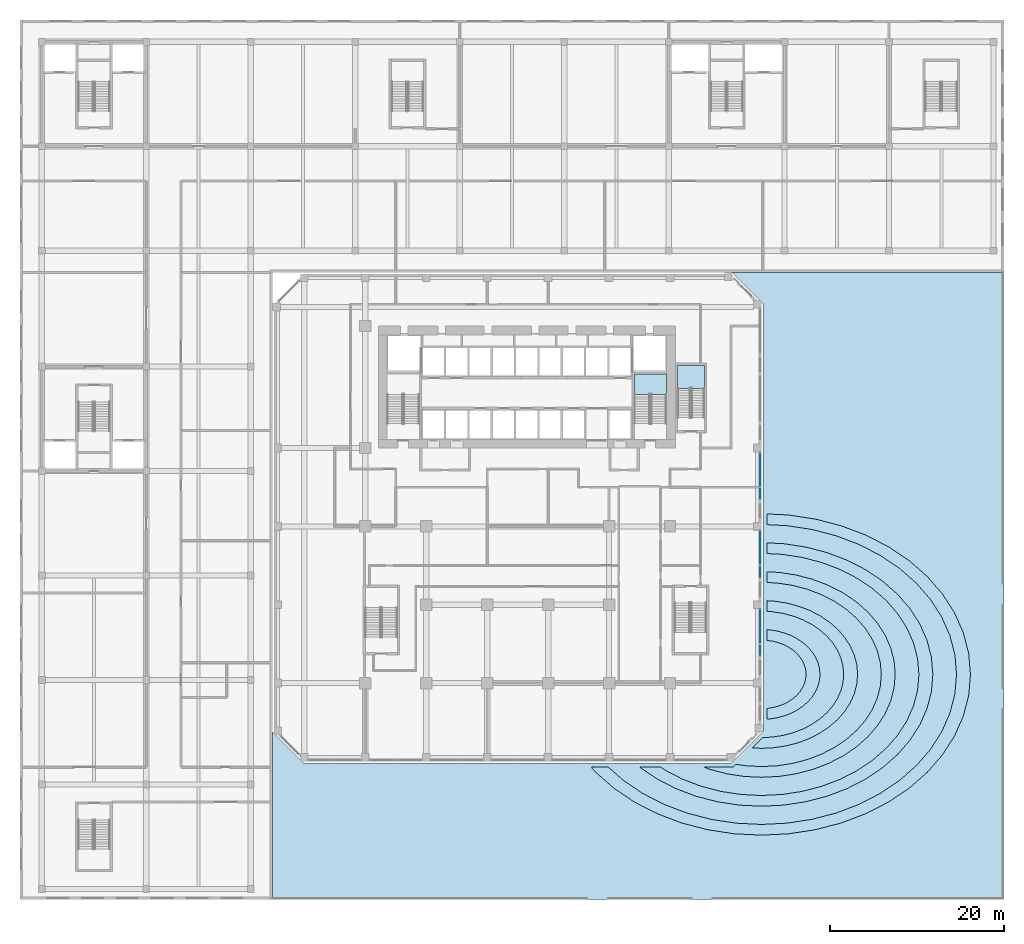
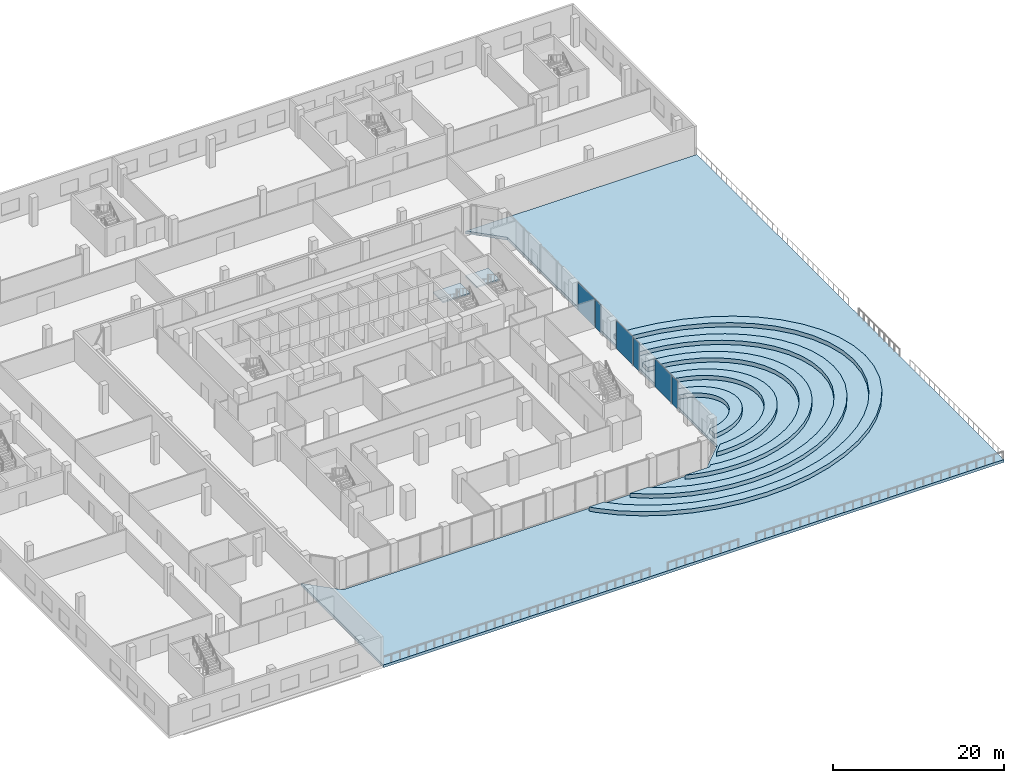
# One storey, part 14 of 38: 8 slabs, 6 plates, 8 elements without a shape of their own.
"""IFC4 building model written with IfcOpenShell, lengths in metres."""

from ifc_helpers import new_model, si_unit, direction, frame, origin, origin_2d, place, context, subcontext, project, spatial, polyline, rectangle, outline, extrude, source, transform, mapped, material, layer, layer_set, type_object, element, aggregate, save


model = new_model("IFC4")

# Units and contexts
model_context = context("Model", 3, precision=1e-05, world=origin(), true_north=direction((0.0, 1.0)))
body_context = subcontext(model_context, "Body", "Model", "MODEL_VIEW")
ifc_project = project(units=[si_unit("LENGTHUNIT", "METRE"), si_unit("AREAUNIT", "SQUARE_METRE"), si_unit("VOLUMEUNIT", "CUBIC_METRE"), si_unit("PLANEANGLEUNIT", "RADIAN"), si_unit("MASSUNIT", "GRAM", prefix="KILO")], contexts=[model_context])

# Site, building, storey
site_placement = place(None, origin())
site = spatial("IfcSite", under=ifc_project, at=site_placement, CompositionType="ELEMENT")
building_placement = place(site_placement, origin())
building = spatial("IfcBuilding", under=site, at=building_placement, Name="Kilnfold Tower and Market Hall", CompositionType="ELEMENT")
storey_placement = place(building_placement, frame((0.0, 0.0, 9.0)))
storey = spatial("IfcBuildingStorey", under=building, at=storey_placement, Name="L01", CompositionType="ELEMENT", Elevation=9.0)

# Slabs
ifc_material_1 = material(Name="Concrete C40/50", Category="concrete")
ifc_layer_1 = layer(ifc_material_1, 0.39990234375)
ifc_layer_set_1 = layer_set([ifc_layer_1], Name="Concrete C40/50")
slab_type_1 = type_object("IfcSlabType", Name="DECK SLAB 400", PredefinedType="FLOOR", material=ifc_layer_set_1)
shared_shape_1 = source(origin(), body_context, "Body", "SweptSolid", [
    extrude(outline(polyline([(-28.14990234375, -43.85009765625), (55.85009765625, -43.85009765625), (55.85009765625, 28.14990234375), (24.56201171875, 28.14990234375), (28.14990234375, 24.56201171875), (28.14990234375, -24.56201171875), (24.56201171875, -28.14990234375), (-24.56201171875, -28.14990234375), (-28.14990234375, -24.56201171875), (-28.14990234375, -43.85009765625)])), origin(), (0.0, 0.0, 1.0), 0.39990234375),
])
slab_1_placement = place(storey_placement, frame((0.0, 0.0, -0.39990234375)))
element("IfcSlab", 1, at=slab_1_placement, inside=storey, type_object=slab_type_1, Name="Garden deck slab", PredefinedType="FLOOR", context=body_context, shape_type="MappedRepresentation", body=[
    mapped(shared_shape_1, transform((0.0, 0.0, 0.0))),
])
ifc_material_2 = material(Name="Concrete C30/37", Category="concrete")
ifc_layer_2 = layer(ifc_material_2, 0.60009765625)
ifc_layer_set_2 = layer_set([ifc_layer_2], Name="Concrete C30/37")
slab_type_2 = type_object("IfcSlabType", Name="DECK PLANTER BED 600", PredefinedType="USERDEFINED", material=ifc_layer_set_2)
shared_shape_2 = source(origin(), body_context, "Body", "SweptSolid", [
    extrude(outline(polyline([(28.0, -36.46142578125), (31.132568359375, -36.3037109375), (34.211669921875, -35.83251953125), (37.184326171875, -35.05615234375), (40.0, -33.988037109375), (42.6103515625, -32.646484375), (44.970703125, -31.05419921875), (47.04052734375, -29.238525390625), (48.78466796875, -27.230712890625), (50.173095703125, -25.06494140625), (51.18212890625, -22.7783203125), (51.794677734375, -20.40966796875), (52.0, -18.0), (51.794677734375, -15.59033203125), (51.18212890625, -13.2216796875), (50.173095703125, -10.93505859375), (48.78466796875, -8.769287109375), (47.04052734375, -6.761474609375), (44.970703125, -4.94580078125), (42.6103515625, -3.353515625), (40.0, -2.011962890625), (37.184326171875, -0.94384765625), (34.211669921875, -0.16748046875), (31.132568359375, 0.3037109375), (28.64990234375, 0.4287109375), (28.64990234375, -0.802001953125), (30.923828125, -0.916748046875), (33.797607421875, -1.3564453125), (36.572021484375, -2.080810546875), (39.199951171875, -3.07763671875), (41.63623046875, -4.329833984375), (43.839111328125, -5.81591796875), (45.77099609375, -7.510498046875), (47.39892578125, -9.384521484375), (48.69482421875, -11.406005859375), (49.63671875, -13.540283203125), (50.20849609375, -15.7509765625), (50.39990234375, -18.0), (50.20849609375, -20.2490234375), (49.63671875, -22.459716796875), (48.69482421875, -24.593994140625), (47.39892578125, -26.615478515625), (45.77099609375, -28.489501953125), (43.839111328125, -30.18408203125), (41.63623046875, -31.670166015625), (39.199951171875, -32.92236328125), (36.572021484375, -33.919189453125), (33.797607421875, -34.6435546875), (30.923828125, -35.083251953125), (28.0, -35.230712890625), (25.076171875, -35.083251953125), (22.202392578125, -34.6435546875), (19.427978515625, -33.919189453125), (16.800048828125, -32.92236328125), (14.36376953125, -31.670166015625), (12.160888671875, -30.18408203125), (10.412109375, -28.64990234375), (8.4482421875, -28.64990234375), (8.95947265625, -29.238525390625), (11.029296875, -31.05419921875), (13.3896484375, -32.646484375), (16.0, -33.988037109375), (18.815673828125, -35.05615234375), (21.788330078125, -35.83251953125), (24.867431640625, -36.3037109375), (28.0, -36.46142578125)])), origin(), (0.0, 0.0, 1.0), 0.60009765625),
])
slab_2_placement = place(storey_placement, origin())
element("IfcSlab", 2, at=slab_2_placement, inside=storey, type_object=slab_type_2, Name="Planter ring R1-1", ObjectType="PLANTER", PredefinedType="USERDEFINED", context=body_context, shape_type="MappedRepresentation", body=[
    mapped(shared_shape_2, transform((0.0, 0.0, 0.0))),
])
shared_shape_3 = source(origin(), body_context, "Body", "SweptSolid", [
    extrude(outline(polyline([(28.0, -33.138427734375), (30.56884765625, -33.0087890625), (33.093505859375, -32.62255859375), (35.53125, -31.986083984375), (37.840087890625, -31.1103515625), (39.98046875, -30.010009765625), (41.916015625, -28.70458984375), (43.61328125, -27.2158203125), (45.04345703125, -25.569091796875), (46.181884765625, -23.793212890625), (47.009521484375, -21.918212890625), (47.51171875, -19.97607421875), (47.679931640625, -18.0), (47.51171875, -16.02392578125), (47.009521484375, -14.081787109375), (46.181884765625, -12.206787109375), (45.04345703125, -10.430908203125), (43.61328125, -8.7841796875), (41.916015625, -7.29541015625), (39.98046875, -5.989990234375), (37.840087890625, -4.8896484375), (35.53125, -4.013916015625), (33.093505859375, -3.37744140625), (30.56884765625, -2.9912109375), (28.64990234375, -2.894287109375), (28.64990234375, -4.125), (30.35986328125, -4.211181640625), (32.679443359375, -4.566162109375), (34.9189453125, -5.15087890625), (37.0400390625, -5.95556640625), (39.00634765625, -6.96630859375), (40.784423828125, -8.165771484375), (42.34375, -9.53369140625), (43.65771484375, -11.046142578125), (44.70361328125, -12.677734375), (45.4638671875, -14.400390625), (45.92529296875, -16.184814453125), (46.080078125, -18.0), (45.92529296875, -19.815185546875), (45.4638671875, -21.599609375), (44.70361328125, -23.322265625), (43.65771484375, -24.953857421875), (42.34375, -26.46630859375), (40.784423828125, -27.834228515625), (39.00634765625, -29.03369140625), (37.0400390625, -30.04443359375), (34.9189453125, -30.84912109375), (32.679443359375, -31.433837890625), (30.35986328125, -31.788818359375), (28.0, -31.90771484375), (25.64013671875, -31.788818359375), (23.320556640625, -31.433837890625), (21.0810546875, -30.84912109375), (18.9599609375, -30.04443359375), (16.99365234375, -29.03369140625), (16.4248046875, -28.64990234375), (14.02197265625, -28.64990234375), (14.083984375, -28.70458984375), (16.01953125, -30.010009765625), (18.159912109375, -31.1103515625), (20.46875, -31.986083984375), (22.906494140625, -32.62255859375), (25.43115234375, -33.0087890625), (28.0, -33.138427734375)])), origin(), (0.0, 0.0, 1.0), 0.60009765625),
])
slab_3_placement = place(storey_placement, origin())
element("IfcSlab", 3, at=slab_3_placement, inside=storey, type_object=slab_type_2, Name="Planter ring R2-1", ObjectType="PLANTER", PredefinedType="USERDEFINED", context=body_context, shape_type="MappedRepresentation", body=[
    mapped(shared_shape_3, transform((0.0, 0.0, 0.0))),
])
shared_shape_4 = source(origin(), body_context, "Body", "SweptSolid", [
    extrude(outline(polyline([(28.0, -29.8154296875), (30.0048828125, -29.71435546875), (31.9755859375, -29.412841796875), (33.8779296875, -28.916015625), (35.679931640625, -28.232421875), (37.3505859375, -27.373779296875), (38.861083984375, -26.354736328125), (40.185791015625, -25.192626953125), (41.30224609375, -23.90771484375), (42.19091796875, -22.521484375), (42.836669921875, -21.05810546875), (43.228515625, -19.542236328125), (43.360107421875, -18.0), (43.228515625, -16.457763671875), (42.836669921875, -14.94189453125), (42.19091796875, -13.478515625), (41.30224609375, -12.09228515625), (40.185791015625, -10.807373046875), (38.861083984375, -9.645263671875), (37.3505859375, -8.626220703125), (35.679931640625, -7.767578125), (33.8779296875, -7.083984375), (31.9755859375, -6.587158203125), (30.0048828125, -6.28564453125), (28.64990234375, -6.21728515625), (28.64990234375, -7.4482421875), (29.7958984375, -7.506103515625), (31.561279296875, -7.776123046875), (33.265625, -8.22119140625), (34.8798828125, -8.83349609375), (36.376708984375, -9.602783203125), (37.729736328125, -10.515625), (38.91650390625, -11.556396484375), (39.91650390625, -12.707763671875), (40.712646484375, -13.949462890625), (41.291015625, -15.260498046875), (41.642333984375, -16.618408203125), (41.760009765625, -18.0), (41.642333984375, -19.381591796875), (41.291015625, -20.739501953125), (40.712646484375, -22.050537109375), (39.91650390625, -23.292236328125), (38.91650390625, -24.443603515625), (37.729736328125, -25.484375), (36.376708984375, -26.397216796875), (34.8798828125, -27.16650390625), (33.265625, -27.77880859375), (31.561279296875, -28.223876953125), (29.7958984375, -28.493896484375), (28.0, -28.584716796875), (26.2041015625, -28.493896484375), (25.094970703125, -28.32421875), (24.915771484375, -28.503662109375), (24.87939453125, -28.53662109375), (24.83984375, -28.565673828125), (24.7978515625, -28.591064453125), (24.75341796875, -28.61181640625), (24.707275390625, -28.62841796875), (24.65966796875, -28.640380859375), (24.611083984375, -28.647705078125), (24.56201171875, -28.64990234375), (21.4208984375, -28.64990234375), (22.1220703125, -28.916015625), (24.0244140625, -29.412841796875), (25.9951171875, -29.71435546875), (28.0, -29.8154296875)])), origin(), (0.0, 0.0, 1.0), 0.60009765625),
])
slab_4_placement = place(storey_placement, origin())
element("IfcSlab", 4, at=slab_4_placement, inside=storey, type_object=slab_type_2, Name="Planter ring R3-1", ObjectType="PLANTER", PredefinedType="USERDEFINED", context=body_context, shape_type="MappedRepresentation", body=[
    mapped(shared_shape_4, transform((0.0, 0.0, 0.0))),
])
shared_shape_5 = source(origin(), body_context, "Body", "SweptSolid", [
    extrude(outline(polyline([(28.0, -26.4921875), (29.44091796875, -26.419677734375), (30.857421875, -26.202880859375), (32.224853515625, -25.845947265625), (33.52001953125, -25.3544921875), (34.720703125, -24.7373046875), (35.806396484375, -24.0048828125), (36.758544921875, -23.169921875), (37.560791015625, -22.24609375), (38.19970703125, -21.25), (38.663818359375, -20.197998046875), (38.945556640625, -19.1083984375), (39.0400390625, -18.0), (38.945556640625, -16.8916015625), (38.663818359375, -15.802001953125), (38.19970703125, -14.75), (37.560791015625, -13.75390625), (36.758544921875, -12.830078125), (35.806396484375, -11.9951171875), (34.720703125, -11.2626953125), (33.52001953125, -10.6455078125), (32.224853515625, -10.154052734375), (30.857421875, -9.797119140625), (29.44091796875, -9.580322265625), (28.64990234375, -9.54052734375), (28.64990234375, -10.771240234375), (29.232177734375, -10.800537109375), (30.443359375, -10.98583984375), (31.612548828125, -11.291259765625), (32.719970703125, -11.711181640625), (33.74658203125, -12.239013671875), (34.675048828125, -12.865234375), (35.4892578125, -13.57958984375), (36.17529296875, -14.369140625), (36.721435546875, -15.22119140625), (37.118408203125, -16.12060546875), (37.359130859375, -17.05224609375), (37.43994140625, -18.0), (37.359130859375, -18.94775390625), (37.118408203125, -19.87939453125), (36.721435546875, -20.77880859375), (36.17529296875, -21.630859375), (35.4892578125, -22.42041015625), (34.675048828125, -23.134765625), (33.74658203125, -23.760986328125), (32.719970703125, -24.288818359375), (31.612548828125, -24.708740234375), (30.443359375, -25.01416015625), (29.232177734375, -25.199462890625), (28.166015625, -25.253173828125), (26.978515625, -26.44091796875), (28.0, -26.4921875)])), origin(), (0.0, 0.0, 1.0), 0.60009765625),
])
slab_5_placement = place(storey_placement, origin())
element("IfcSlab", 5, at=slab_5_placement, inside=storey, type_object=slab_type_2, Name="Planter ring R4-1", ObjectType="PLANTER", PredefinedType="USERDEFINED", context=body_context, shape_type="MappedRepresentation", body=[
    mapped(shared_shape_5, transform((0.0, 0.0, 0.0))),
])
shared_shape_6 = source(origin(), body_context, "Body", "SweptSolid", [
    extrude(outline(polyline([(28.64990234375, -23.136474609375), (28.877197265625, -23.125), (29.7392578125, -22.9931640625), (30.571533203125, -22.775634765625), (31.360107421875, -22.476806640625), (32.0908203125, -22.10107421875), (32.751708984375, -21.6552734375), (33.331298828125, -21.146728515625), (33.819580078125, -20.584716796875), (34.20849609375, -19.978271484375), (34.490966796875, -19.337890625), (34.66259765625, -18.6748046875), (34.719970703125, -18.0), (34.66259765625, -17.3251953125), (34.490966796875, -16.662109375), (34.20849609375, -16.021728515625), (33.819580078125, -15.415283203125), (33.331298828125, -14.853271484375), (32.751708984375, -14.3447265625), (32.0908203125, -13.89892578125), (31.360107421875, -13.523193359375), (30.571533203125, -13.224365234375), (29.7392578125, -13.0068359375), (28.877197265625, -12.875), (28.64990234375, -12.863525390625), (28.64990234375, -14.09423828125), (28.668212890625, -14.09521484375), (29.3251953125, -14.19580078125), (29.959228515625, -14.361328125), (30.56005859375, -14.589111328125), (31.116943359375, -14.87548828125), (31.620361328125, -15.215087890625), (32.06201171875, -15.602294921875), (32.43408203125, -16.03076171875), (32.730224609375, -16.492919921875), (32.945556640625, -16.980712890625), (33.076171875, -17.48583984375), (33.1201171875, -18.0), (33.076171875, -18.51416015625), (32.945556640625, -19.019287109375), (32.730224609375, -19.507080078125), (32.43408203125, -19.96923828125), (32.06201171875, -20.397705078125), (31.620361328125, -20.784912109375), (31.116943359375, -21.12451171875), (30.56005859375, -21.410888671875), (29.959228515625, -21.638671875), (29.3251953125, -21.80419921875), (28.668212890625, -21.90478515625), (28.64990234375, -21.90576171875), (28.64990234375, -23.136474609375)])), origin(), (0.0, 0.0, 1.0), 0.60009765625),
])
slab_6_placement = place(storey_placement, origin())
element("IfcSlab", 6, at=slab_6_placement, inside=storey, type_object=slab_type_2, Name="Planter ring R5-1", ObjectType="PLANTER", PredefinedType="USERDEFINED", context=body_context, shape_type="MappedRepresentation", body=[
    mapped(shared_shape_6, transform((0.0, 0.0, 0.0))),
])

# Curtain wall, plate
ifc_material_3 = material(Name="Aluminium and double glazing", Category="aluminium")
curtain_wall_type = type_object("IfcCurtainWallType", Name="CW BASE PODIUM GLAZING", PredefinedType="NOTDEFINED", material=ifc_material_3)
curtain_wall_1_placement = place(storey_placement, origin())
curtain_wall_1 = element("IfcCurtainWall", 7, at=curtain_wall_1_placement, inside=storey, type_object=curtain_wall_type, Name="Curtain wall CW4 L01 E", PredefinedType="NOTDEFINED")
ifc_material_4 = material(Name="Double glazed unit")
ifc_layer_3 = layer(ifc_material_4, 0.035888671875)
ifc_layer_set_3 = layer_set([ifc_layer_3], Name="Double glazed unit")
plate_type = type_object("IfcPlateType", Name="GLAZING PANEL 36", PredefinedType="CURTAIN_PANEL", material=ifc_layer_set_3)
shared_shape_7 = source(origin(), body_context, "Body", "SweptSolid", [
    extrude(rectangle(XDim=1.31005859375, YDim=0.035888671875, at=origin_2d()), origin(), (0.0, 0.0, 1.0), 4.030029296875),
])
plate_1_placement = place(storey_placement, frame((27.85009765625, -15.22509765625, 0.0), z_axis=(0.0, 0.0, 1.0), x_axis=(0.0, 1.0, 0.0)))
plate_1 = element("IfcPlate", 8, at=plate_1_placement, type_object=plate_type, Name="CW4 panel 1.1", PredefinedType="CURTAIN_PANEL", context=body_context, shape_type="MappedRepresentation", body=[
    mapped(shared_shape_7, transform((0.0, 0.0, 0.0))),
])
aggregate(curtain_wall_1, [plate_1])

curtain_wall_2_placement = place(storey_placement, origin())
curtain_wall_2 = element("IfcCurtainWall", 9, at=curtain_wall_2_placement, inside=storey, type_object=curtain_wall_type, Name="Curtain wall CW4 L01 E", PredefinedType="NOTDEFINED")
plate_2_placement = place(storey_placement, frame((27.85009765625, -6.22509765625, 0.0), z_axis=(0.0, 0.0, 1.0), x_axis=(0.0, 1.0, 0.0)))
plate_2 = element("IfcPlate", 10, at=plate_2_placement, type_object=plate_type, Name="CW4 panel 1.1", PredefinedType="CURTAIN_PANEL", context=body_context, shape_type="MappedRepresentation", body=[
    mapped(shared_shape_7, transform((0.0, 0.0, 0.0))),
])
aggregate(curtain_wall_2, [plate_2])

curtain_wall_3_placement = place(storey_placement, origin())
curtain_wall_3 = element("IfcCurtainWall", 11, at=curtain_wall_3_placement, inside=storey, type_object=curtain_wall_type, Name="Curtain wall CW4 L01 E", PredefinedType="NOTDEFINED")
plate_3_placement = place(storey_placement, frame((27.85009765625, 2.77490234375, 0.0), z_axis=(0.0, 0.0, 1.0), x_axis=(0.0, 1.0, 0.0)))
plate_3 = element("IfcPlate", 12, at=plate_3_placement, type_object=plate_type, Name="CW4 panel 1.1", PredefinedType="CURTAIN_PANEL", context=body_context, shape_type="MappedRepresentation", body=[
    mapped(shared_shape_7, transform((0.0, 0.0, 0.0))),
])
aggregate(curtain_wall_3, [plate_3])

curtain_wall_4_placement = place(storey_placement, origin())
curtain_wall_4 = element("IfcCurtainWall", 13, at=curtain_wall_4_placement, inside=storey, type_object=curtain_wall_type, Name="Curtain wall CW4 L01 E", PredefinedType="NOTDEFINED")
shared_shape_8 = source(origin(), body_context, "Body", "SweptSolid", [
    extrude(rectangle(XDim=3.909912109375, YDim=0.035888671875, at=origin_2d()), origin(), (0.0, 0.0, 1.0), 4.030029296875),
])
plate_4_placement = place(storey_placement, frame((27.85009765625, -12.47509765625, 0.0), z_axis=(0.0, 0.0, 1.0), x_axis=(0.0, 1.0, 0.0)))
plate_4 = element("IfcPlate", 14, at=plate_4_placement, type_object=plate_type, Name="CW4 panel 1.1", PredefinedType="CURTAIN_PANEL", context=body_context, shape_type="MappedRepresentation", body=[
    mapped(shared_shape_8, transform((0.0, 0.0, 0.0))),
])
aggregate(curtain_wall_4, [plate_4])

curtain_wall_5_placement = place(storey_placement, origin())
curtain_wall_5 = element("IfcCurtainWall", 15, at=curtain_wall_5_placement, inside=storey, type_object=curtain_wall_type, Name="Curtain wall CW4 L01 E", PredefinedType="NOTDEFINED")
plate_5_placement = place(storey_placement, frame((27.85009765625, -3.47509765625, 0.0), z_axis=(0.0, 0.0, 1.0), x_axis=(0.0, 1.0, 0.0)))
plate_5 = element("IfcPlate", 16, at=plate_5_placement, type_object=plate_type, Name="CW4 panel 1.1", PredefinedType="CURTAIN_PANEL", context=body_context, shape_type="MappedRepresentation", body=[
    mapped(shared_shape_8, transform((0.0, 0.0, 0.0))),
])
aggregate(curtain_wall_5, [plate_5])

curtain_wall_6_placement = place(storey_placement, origin())
curtain_wall_6 = element("IfcCurtainWall", 17, at=curtain_wall_6_placement, inside=storey, type_object=curtain_wall_type, Name="Curtain wall CW4 L01 E", PredefinedType="NOTDEFINED")
plate_6_placement = place(storey_placement, frame((27.85009765625, 5.52490234375, 0.0), z_axis=(0.0, 0.0, 1.0), x_axis=(0.0, 1.0, 0.0)))
plate_6 = element("IfcPlate", 18, at=plate_6_placement, type_object=plate_type, Name="CW4 panel 1.1", PredefinedType="CURTAIN_PANEL", context=body_context, shape_type="MappedRepresentation", body=[
    mapped(shared_shape_8, transform((0.0, 0.0, 0.0))),
])
aggregate(curtain_wall_6, [plate_6])

# Stair, slab
ifc_material_5 = material(Name="Concrete C40/50", Category="concrete")
stair_type_1 = type_object("IfcStairType", Name="CORE STAIR 1800", PredefinedType="HALF_TURN_STAIR", material=ifc_material_5)
stair_1_placement = place(storey_placement, origin())
stair_1 = element("IfcStair", 19, at=stair_1_placement, inside=storey, type_object=stair_type_1, Name="L01 ST2", PredefinedType="HALF_TURN_STAIR")
ifc_material_6 = material(Name="Concrete C40/50", Category="concrete")
ifc_layer_4 = layer(ifc_material_6, 0.199951171875)
ifc_layer_set_4 = layer_set([ifc_layer_4], Name="Concrete C40/50")
slab_type_3 = type_object("IfcSlabType", Name="CORE STAIR LANDING 200", PredefinedType="LANDING", material=ifc_layer_set_4)
shared_shape_9 = source(origin(), body_context, "Body", "SweptSolid", [
    extrude(outline(polyline([(17.10009765625, 14.159912109375), (17.10009765625, 16.5), (13.39990234375, 16.5), (13.39990234375, 14.159912109375), (17.10009765625, 14.159912109375)])), origin(), (0.0, 0.0, 1.0), 0.199951171875),
])
slab_7_placement = place(storey_placement, frame((0.0, 0.0, 2.050048828125)))
slab_7 = element("IfcSlab", 20, at=slab_7_placement, type_object=slab_type_3, Name="ST2 landing 1", PredefinedType="LANDING", context=body_context, shape_type="MappedRepresentation", body=[
    mapped(shared_shape_9, transform((0.0, 0.0, 0.0))),
])
aggregate(stair_1, [slab_7])

ifc_material_7 = material(Name="Concrete C40/50", Category="concrete")
stair_type_2 = type_object("IfcStairType", Name="CORE STAIR 1500", PredefinedType="HALF_TURN_STAIR", material=ifc_material_7)
stair_2_placement = place(storey_placement, origin())
stair_2 = element("IfcStair", 21, at=stair_2_placement, inside=storey, type_object=stair_type_2, Name="L01 ST5", PredefinedType="HALF_TURN_STAIR")
shared_shape_10 = source(origin(), body_context, "Body", "SweptSolid", [
    extrude(outline(polyline([(21.449951171875, 14.860107421875), (21.449951171875, 17.5), (18.35009765625, 17.5), (18.35009765625, 14.860107421875), (21.449951171875, 14.860107421875)])), origin(), (0.0, 0.0, 1.0), 0.199951171875),
])
slab_8_placement = place(storey_placement, frame((0.0, 0.0, 2.050048828125)))
slab_8 = element("IfcSlab", 22, at=slab_8_placement, type_object=slab_type_3, Name="ST5 landing 1", PredefinedType="LANDING", context=body_context, shape_type="MappedRepresentation", body=[
    mapped(shared_shape_10, transform((0.0, 0.0, 0.0))),
])
aggregate(stair_2, [slab_8])

save(model, "model.ifc")
